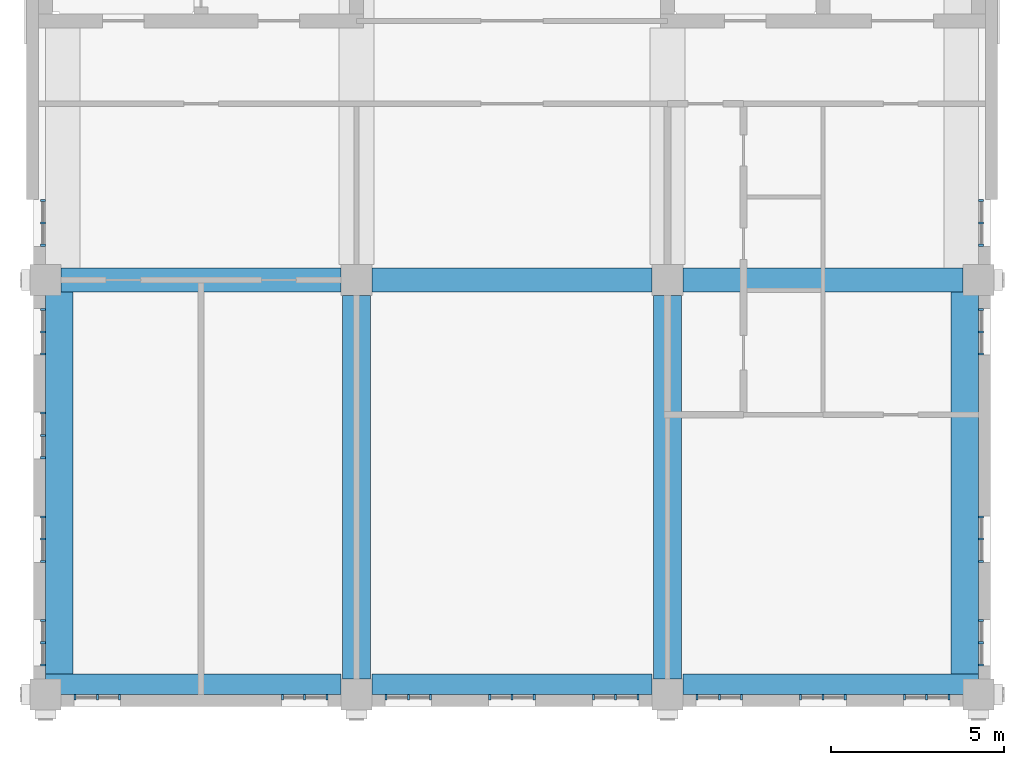
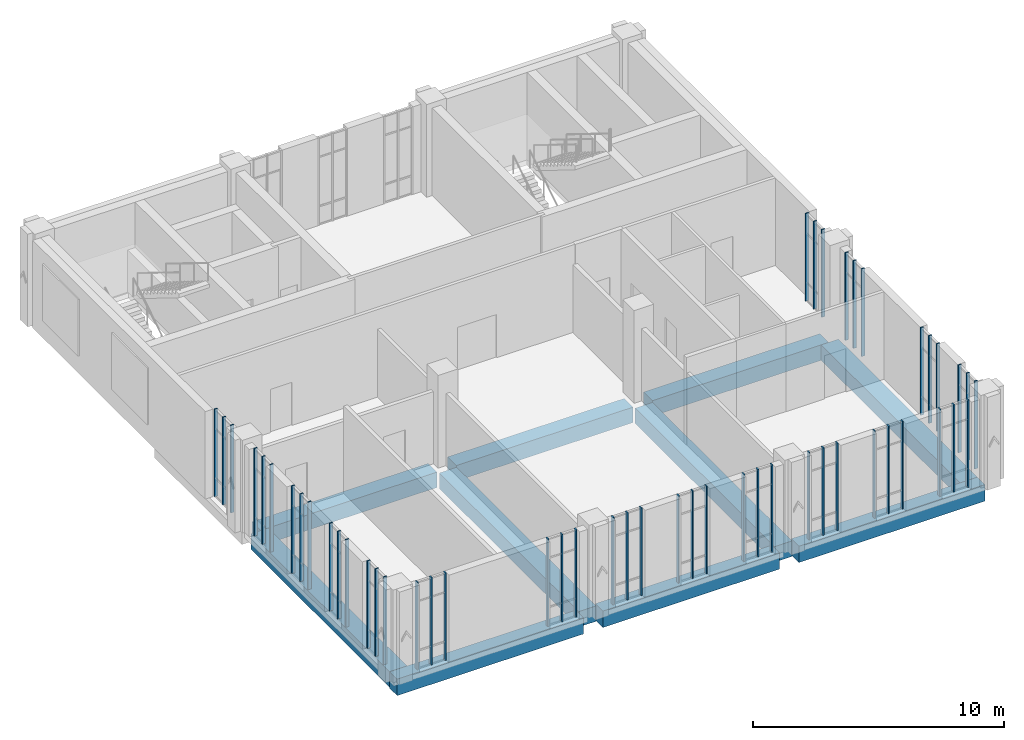
# One storey, part 2 of 13: 51 members, 10 beams, 17 elements without a shape of their own.
"""IFC4 building model written with IfcOpenShell, lengths in metres."""

import ifcopenshell
import ifcopenshell.guid

model = None  # the IFC model being written
_history = None  # IfcOwnerHistory: only IFC2X3 demands one
_inside = {}  # id of a spatial element -> (the spatial element, [elements in it])
_under = {}  # id of a project, library or spatial element -> (it, [spatial elements below it])
_declared = {}  # id of a project -> (the project, [libraries it declares])
_typed = {}  # id of a type object -> (the type object, [elements of that type])
_made_of = {}  # id of a material, layer set ... -> (it, [elements and type objects made of it])


def new_model(schema):
    """Start an empty IFC model of exactly this schema.

    Asked for "IFC4X3", IfcOpenShell would pick the latest addendum, in which some entities
    have other attributes; the version numbers below select the first issue.
    IFC2X3 requires an IfcOwnerHistory on every rooted entity: one is made here for all.
    """
    global model, _history
    if schema == "IFC4X3":
        model = ifcopenshell.file(schema_version=(4, 3, 0, 0))
    else:
        model = ifcopenshell.file(schema=schema)
    _inside.clear()
    _under.clear()
    _declared.clear()
    _typed.clear()
    _made_of.clear()
    _history = None
    if model.schema == "IFC2X3":
        org = make("IfcOrganization", Name="unknown")
        user = make(
            "IfcPersonAndOrganization",
            ThePerson=make("IfcPerson", FamilyName="unknown"),
            TheOrganization=org,
        )
        app = make(
            "IfcApplication",
            ApplicationDeveloper=org,
            Version="unknown",
            ApplicationFullName="unknown",
            ApplicationIdentifier="unknown",
        )
        _history = make(
            "IfcOwnerHistory",
            OwningUser=user,
            OwningApplication=app,
            ChangeAction="ADDED",
            CreationDate=0,
        )
    return model


def make(cls, **values):
    """One entity of the class cls with the attributes given. An attribute that is None is left unset."""
    return model.create_entity(
        cls, **{name: value for name, value in values.items() if value is not None}
    )


def rooted(cls, **values):
    """An entity with a GlobalId (a new one), such as an element, a storey or a relation."""
    return make(cls, GlobalId=ifcopenshell.guid.new(), OwnerHistory=_history, **values)


def si_unit(unit_type, name, prefix=None):
    """IfcSIUnit, for example si_unit("LENGTHUNIT", "METRE", prefix="MILLI")."""
    return make("IfcSIUnit", UnitType=unit_type, Prefix=prefix, Name=name)


def assignment(units):
    """IfcUnitAssignment: the units of a project."""
    return None if units is None else make("IfcUnitAssignment", Units=units)


def point(xyz):
    """IfcCartesianPoint."""
    return None if xyz is None else make("IfcCartesianPoint", Coordinates=xyz)


def direction(xyz):
    """IfcDirection."""
    return None if xyz is None else make("IfcDirection", DirectionRatios=xyz)


def frame(location, z_axis=None, x_axis=None):
    """IfcAxis2Placement3D, a coordinate frame: its origin and axes. An axis left out is left unset."""
    return make(
        "IfcAxis2Placement3D",
        Location=point(location),
        Axis=direction(z_axis),
        RefDirection=direction(x_axis),
    )


def frame_2d(location, x_axis=None):
    """IfcAxis2Placement2D, a coordinate frame in the plane: its origin and x axis."""
    return make(
        "IfcAxis2Placement2D", Location=point(location), RefDirection=direction(x_axis)
    )


def origin():
    """The frame at (0, 0, 0) with its axes left unset."""
    return frame((0.0, 0.0, 0.0))


def origin_2d():
    """The frame at (0, 0) in the plane with its x axis left unset."""
    return frame_2d((0.0, 0.0))


def place(relative_to, where):
    """IfcLocalPlacement: puts the frame where relative to a parent placement (None: the world)."""
    return make(
        "IfcLocalPlacement", PlacementRelTo=relative_to, RelativePlacement=where
    )


def context(
    kind, dimensions, precision=None, world=None, true_north=None, identifier=None
):
    """IfcGeometricRepresentationContext, for example the 3D "Model" context."""
    return make(
        "IfcGeometricRepresentationContext",
        ContextIdentifier=identifier,
        ContextType=kind,
        CoordinateSpaceDimension=dimensions,
        Precision=precision,
        WorldCoordinateSystem=world,
        TrueNorth=true_north,
    )


def subcontext(parent, identifier, kind, view, scale=None):
    """IfcGeometricRepresentationSubContext, for example "Body" below "Model"."""
    return make(
        "IfcGeometricRepresentationSubContext",
        ContextIdentifier=identifier,
        ContextType=kind,
        ParentContext=parent,
        TargetScale=scale,
        TargetView=view,
    )


def project(units=None, contexts=None):
    """IfcProject with its units and contexts."""
    return rooted(
        "IfcProject",
        Name="project",
        RepresentationContexts=contexts,
        UnitsInContext=assignment(units),
    )


def spatial(cls, under=None, at=None, **own):
    """A site, building, storey or space (cls), placed at a placement, below another one or the project."""
    s = rooted(cls, ObjectPlacement=at, **own)
    if under is not None:
        _under.setdefault(under.id(), (under, []))[1].append(s)
    return s


def profile(cls, at=None, kind="AREA", **sizes):
    """A parametric profile (cls). Its sizes go by their IFC names, for example OverallWidth=200.0."""
    return make(cls, ProfileType=kind, Position=at, **sizes)


def rectangle(**sizes):
    """IfcRectangleProfileDef."""
    return profile("IfcRectangleProfileDef", **sizes)


def extrude(swept, where, along, depth):
    """IfcExtrudedAreaSolid: the profile swept, set in the frame where, extruded along a direction by depth."""
    return make(
        "IfcExtrudedAreaSolid",
        SweptArea=swept,
        Position=where,
        ExtrudedDirection=direction(along),
        Depth=depth,
    )


def shape(context_of_items, identifier, shape_type, items):
    """IfcShapeRepresentation: the items that make up one representation, for example the "Body"."""
    return make(
        "IfcShapeRepresentation",
        ContextOfItems=context_of_items,
        RepresentationIdentifier=identifier,
        RepresentationType=shape_type,
        Items=items,
    )


def material(Name=None, Category=None):
    """IfcMaterial."""
    return make("IfcMaterial", Name=Name, Category=Category)


def layer(
    of_material, thickness, ventilated=None, Name=None, Category=None, Priority=None
):
    """IfcMaterialLayer: one layer of a wall or slab, of a material (None: an air gap)."""
    return make(
        "IfcMaterialLayer",
        Material=of_material,
        LayerThickness=thickness,
        IsVentilated=ventilated,
        Name=Name,
        Category=Category,
        Priority=Priority,
    )


def layer_set(layers, Name=None):
    """IfcMaterialLayerSet."""
    return make("IfcMaterialLayerSet", MaterialLayers=layers, LayerSetName=Name)


def material_profile(
    of_material, cross_section, Name=None, Category=None, Priority=None
):
    """IfcMaterialProfile: a cross section and its material."""
    return make(
        "IfcMaterialProfile",
        Name=Name,
        Material=of_material,
        Profile=cross_section,
        Priority=Priority,
        Category=Category,
    )


def profile_set(profiles, Name=None, composite=None):
    """IfcMaterialProfileSet."""
    return make(
        "IfcMaterialProfileSet",
        Name=Name,
        MaterialProfiles=profiles,
        CompositeProfile=composite,
    )


def made_of(thing, what):
    """Note that an element or type object is made of a material, layer set ...; save() writes the relation."""
    if what is not None:
        _made_of.setdefault(what.id(), (what, []))[1].append(thing)
    return thing


def type_object(cls, material=None, **own):
    """A type object (cls), such as IfcWallType, which elements share."""
    return made_of(rooted(cls, **own), material)


def element(
    cls,
    number,
    at=None,
    inside=None,
    cuts=None,
    type_object=None,
    material=None,
    context=None,
    identifier="Body",
    shape_type=None,
    held_by="IfcProductDefinitionShape",
    body=None,
    shapes=None,
    **own,
):
    """One element of the class cls, such as IfcWall. Its Tag is "e" and its number.

    at: its placement. inside: the storey or other place that contains it. cuts: it is an
    opening in that element (IfcRelVoidsElement). A single representation is given by context,
    identifier, shape_type and body (its items); several are given by shapes. held_by: the class
    of the entity that holds the representations. save() writes the other relations.
    """
    e = rooted(cls, Tag="e%d" % number, ObjectPlacement=at, **own)
    if body is not None:
        shapes = [shape(context, identifier, shape_type, body)]
    if shapes is not None:
        e.Representation = make(held_by, Representations=shapes)
    if inside is not None:
        _inside.setdefault(inside.id(), (inside, []))[1].append(e)
    if cuts is not None:
        rooted(
            "IfcRelVoidsElement", RelatingBuildingElement=cuts, RelatedOpeningElement=e
        )
    if type_object is not None:
        _typed.setdefault(type_object.id(), (type_object, []))[1].append(e)
    return made_of(e, material)


def aggregate(whole, parts):
    """IfcRelAggregates: a whole, such as a stair, and the parts it consists of."""
    return rooted("IfcRelAggregates", RelatingObject=whole, RelatedObjects=parts)


def save(model, path):
    """Write the relations noted so far, then the file.

    IfcRelAggregates (storeys below a building ...), IfcRelContainedInSpatialStructure (elements
    in a storey), IfcRelDefinesByType, IfcRelAssociatesMaterial and IfcRelDeclares: one each for
    every whole, place, type object, material and project.
    """
    for whole, parts in _under.values():
        aggregate(whole, parts)
    for where, things in _inside.values():
        rooted(
            "IfcRelContainedInSpatialStructure",
            RelatedElements=things,
            RelatingStructure=where,
        )
    for kind, things in _typed.values():
        rooted("IfcRelDefinesByType", RelatedObjects=things, RelatingType=kind)
    for what, things in _made_of.values():
        rooted("IfcRelAssociatesMaterial", RelatedObjects=things, RelatingMaterial=what)
    for by, libraries in _declared.values():
        rooted("IfcRelDeclares", RelatingContext=by, RelatedDefinitions=libraries)
    model.write(path)


model = new_model("IFC4")

# Units and contexts
model_context = context("Model", 3, precision=1e-05, world=origin(), true_north=direction((0.0, 1.0)))
body_context = subcontext(model_context, "Body", "Model", "MODEL_VIEW")
ifc_project = project(units=[si_unit("LENGTHUNIT", "METRE"), si_unit("AREAUNIT", "SQUARE_METRE"), si_unit("VOLUMEUNIT", "CUBIC_METRE"), si_unit("PLANEANGLEUNIT", "RADIAN"), si_unit("MASSUNIT", "GRAM", prefix="KILO")], contexts=[model_context])

# Site, building, storey
site_placement = place(None, origin())
site = spatial("IfcSite", under=ifc_project, at=site_placement, CompositionType="ELEMENT")
building_placement = place(site_placement, origin())
building = spatial("IfcBuilding", under=site, at=building_placement, Name="Aurelan Courthouse", CompositionType="ELEMENT")
storey_placement = place(building_placement, frame((0.0, 0.0, 48.89990234375)))
storey = spatial("IfcBuildingStorey", under=building, at=storey_placement, Name="L09", CompositionType="ELEMENT", Elevation=48.89990234375)

# Curtain wall, members
ifc_material_1 = material(Name="Bronze-finished aluminium and glass", Category="aluminium")
ifc_layer = layer(ifc_material_1, 0.14990234375)
ifc_layer_set = layer_set([ifc_layer], Name="Bronze-finished aluminium and glass")
curtain_wall_type = type_object("IfcCurtainWallType", Name="Curtain wall 1350 x 4250", PredefinedType="NOTDEFINED", material=ifc_layer_set)
curtain_wall_1_placement = place(storey_placement, origin())
curtain_wall_1 = element("IfcCurtainWall", 1, at=curtain_wall_1_placement, inside=storey, type_object=curtain_wall_type, Name="Curtain wall CW-V5-L09-S01", PredefinedType="NOTDEFINED")
ifc_material_2 = material(Name="Bronze-finished aluminium", Category="aluminium")
ifc_material_profile_1 = material_profile(ifc_material_2, rectangle(XDim=0.14990234375, YDim=0.06005859375, at=origin_2d()), Name="Bronze mullion 60 x 150")
ifc_profile_set_1 = profile_set([ifc_material_profile_1], Name="Bronze-finished aluminium")
member_type = type_object("IfcMemberType", Name="Curtain wall mullion 60 x 150", PredefinedType="MULLION", material=ifc_profile_set_1)
member_1_placement = place(storey_placement, frame((0.85498046875, -0.074951171875, 0.0), z_axis=(0.0, 0.0, 1.0), x_axis=(0.0, 1.0, 0.0)))
member_1 = element("IfcMember", 2, at=member_1_placement, type_object=member_type, Name="CW-V5-L09-S01 mullion 1", PredefinedType="MULLION", context=body_context, shape_type="SweptSolid", body=[
    extrude(rectangle(XDim=0.14990234375, YDim=0.06005859375, at=origin_2d()), origin(), (0.0, 0.0, 1.0), 4.25),
])
member_2_placement = place(storey_placement, frame((1.5, -0.074951171875, 0.0), z_axis=(0.0, 0.0, 1.0), x_axis=(0.0, 1.0, 0.0)))
member_2 = element("IfcMember", 3, at=member_2_placement, type_object=member_type, Name="CW-V5-L09-S01 mullion 2", PredefinedType="MULLION", context=body_context, shape_type="SweptSolid", body=[
    extrude(rectangle(XDim=0.14990234375, YDim=0.06005859375, at=origin_2d()), origin(), (0.0, 0.0, 1.0), 4.25),
])
member_3_placement = place(storey_placement, frame((2.14501953125, -0.074951171875, 0.0), z_axis=(0.0, 0.0, 1.0), x_axis=(0.0, 1.0, 0.0)))
member_3 = element("IfcMember", 4, at=member_3_placement, type_object=member_type, Name="CW-V5-L09-S01 mullion 3", PredefinedType="MULLION", context=body_context, shape_type="SweptSolid", body=[
    extrude(rectangle(XDim=0.14990234375, YDim=0.06005859375, at=origin_2d()), origin(), (0.0, 0.0, 1.0), 4.25),
])
aggregate(curtain_wall_1, [member_1, member_2, member_3])

curtain_wall_2_placement = place(storey_placement, origin())
curtain_wall_2 = element("IfcCurtainWall", 5, at=curtain_wall_2_placement, inside=storey, type_object=curtain_wall_type, Name="Curtain wall CW-V5-L09-S02", PredefinedType="NOTDEFINED")
member_4_placement = place(storey_placement, frame((6.85498046875, -0.074951171875, 0.0), z_axis=(0.0, 0.0, 1.0), x_axis=(0.0, 1.0, 0.0)))
member_4 = element("IfcMember", 6, at=member_4_placement, type_object=member_type, Name="CW-V5-L09-S02 mullion 1", PredefinedType="MULLION", context=body_context, shape_type="SweptSolid", body=[
    extrude(rectangle(XDim=0.14990234375, YDim=0.06005859375, at=origin_2d()), origin(), (0.0, 0.0, 1.0), 4.25),
])
member_5_placement = place(storey_placement, frame((7.5, -0.074951171875, 0.0), z_axis=(0.0, 0.0, 1.0), x_axis=(0.0, 1.0, 0.0)))
member_5 = element("IfcMember", 7, at=member_5_placement, type_object=member_type, Name="CW-V5-L09-S02 mullion 2", PredefinedType="MULLION", context=body_context, shape_type="SweptSolid", body=[
    extrude(rectangle(XDim=0.14990234375, YDim=0.06005859375, at=origin_2d()), origin(), (0.0, 0.0, 1.0), 4.25),
])
member_6_placement = place(storey_placement, frame((8.14501953125, -0.074951171875, 0.0), z_axis=(0.0, 0.0, 1.0), x_axis=(0.0, 1.0, 0.0)))
member_6 = element("IfcMember", 8, at=member_6_placement, type_object=member_type, Name="CW-V5-L09-S02 mullion 3", PredefinedType="MULLION", context=body_context, shape_type="SweptSolid", body=[
    extrude(rectangle(XDim=0.14990234375, YDim=0.06005859375, at=origin_2d()), origin(), (0.0, 0.0, 1.0), 4.25),
])
aggregate(curtain_wall_2, [member_4, member_5, member_6])

curtain_wall_3_placement = place(storey_placement, origin())
curtain_wall_3 = element("IfcCurtainWall", 9, at=curtain_wall_3_placement, inside=storey, type_object=curtain_wall_type, Name="Curtain wall CW-V5-L09-S03", PredefinedType="NOTDEFINED")
member_7_placement = place(storey_placement, frame((9.85498046875, -0.074951171875, 0.0), z_axis=(0.0, 0.0, 1.0), x_axis=(0.0, 1.0, 0.0)))
member_7 = element("IfcMember", 10, at=member_7_placement, type_object=member_type, Name="CW-V5-L09-S03 mullion 1", PredefinedType="MULLION", context=body_context, shape_type="SweptSolid", body=[
    extrude(rectangle(XDim=0.14990234375, YDim=0.06005859375, at=origin_2d()), origin(), (0.0, 0.0, 1.0), 4.25),
])
member_8_placement = place(storey_placement, frame((10.5, -0.074951171875, 0.0), z_axis=(0.0, 0.0, 1.0), x_axis=(0.0, 1.0, 0.0)))
member_8 = element("IfcMember", 11, at=member_8_placement, type_object=member_type, Name="CW-V5-L09-S03 mullion 2", PredefinedType="MULLION", context=body_context, shape_type="SweptSolid", body=[
    extrude(rectangle(XDim=0.14990234375, YDim=0.06005859375, at=origin_2d()), origin(), (0.0, 0.0, 1.0), 4.25),
])
member_9_placement = place(storey_placement, frame((11.14501953125, -0.074951171875, 0.0), z_axis=(0.0, 0.0, 1.0), x_axis=(0.0, 1.0, 0.0)))
member_9 = element("IfcMember", 12, at=member_9_placement, type_object=member_type, Name="CW-V5-L09-S03 mullion 3", PredefinedType="MULLION", context=body_context, shape_type="SweptSolid", body=[
    extrude(rectangle(XDim=0.14990234375, YDim=0.06005859375, at=origin_2d()), origin(), (0.0, 0.0, 1.0), 4.25),
])
aggregate(curtain_wall_3, [member_7, member_8, member_9])

curtain_wall_4_placement = place(storey_placement, origin())
curtain_wall_4 = element("IfcCurtainWall", 13, at=curtain_wall_4_placement, inside=storey, type_object=curtain_wall_type, Name="Curtain wall CW-V5-L09-S04", PredefinedType="NOTDEFINED")
member_10_placement = place(storey_placement, frame((12.85498046875, -0.074951171875, 0.0), z_axis=(0.0, 0.0, 1.0), x_axis=(0.0, 1.0, 0.0)))
member_10 = element("IfcMember", 14, at=member_10_placement, type_object=member_type, Name="CW-V5-L09-S04 mullion 1", PredefinedType="MULLION", context=body_context, shape_type="SweptSolid", body=[
    extrude(rectangle(XDim=0.14990234375, YDim=0.06005859375, at=origin_2d()), origin(), (0.0, 0.0, 1.0), 4.25),
])
member_11_placement = place(storey_placement, frame((13.5, -0.074951171875, 0.0), z_axis=(0.0, 0.0, 1.0), x_axis=(0.0, 1.0, 0.0)))
member_11 = element("IfcMember", 15, at=member_11_placement, type_object=member_type, Name="CW-V5-L09-S04 mullion 2", PredefinedType="MULLION", context=body_context, shape_type="SweptSolid", body=[
    extrude(rectangle(XDim=0.14990234375, YDim=0.06005859375, at=origin_2d()), origin(), (0.0, 0.0, 1.0), 4.25),
])
member_12_placement = place(storey_placement, frame((14.14501953125, -0.074951171875, 0.0), z_axis=(0.0, 0.0, 1.0), x_axis=(0.0, 1.0, 0.0)))
member_12 = element("IfcMember", 16, at=member_12_placement, type_object=member_type, Name="CW-V5-L09-S04 mullion 3", PredefinedType="MULLION", context=body_context, shape_type="SweptSolid", body=[
    extrude(rectangle(XDim=0.14990234375, YDim=0.06005859375, at=origin_2d()), origin(), (0.0, 0.0, 1.0), 4.25),
])
aggregate(curtain_wall_4, [member_10, member_11, member_12])

curtain_wall_5_placement = place(storey_placement, origin())
curtain_wall_5 = element("IfcCurtainWall", 17, at=curtain_wall_5_placement, inside=storey, type_object=curtain_wall_type, Name="Curtain wall CW-V5-L09-S05", PredefinedType="NOTDEFINED")
member_13_placement = place(storey_placement, frame((15.85498046875, -0.074951171875, 0.0), z_axis=(0.0, 0.0, 1.0), x_axis=(0.0, 1.0, 0.0)))
member_13 = element("IfcMember", 18, at=member_13_placement, type_object=member_type, Name="CW-V5-L09-S05 mullion 1", PredefinedType="MULLION", context=body_context, shape_type="SweptSolid", body=[
    extrude(rectangle(XDim=0.14990234375, YDim=0.06005859375, at=origin_2d()), origin(), (0.0, 0.0, 1.0), 4.25),
])
member_14_placement = place(storey_placement, frame((16.5, -0.074951171875, 0.0), z_axis=(0.0, 0.0, 1.0), x_axis=(0.0, 1.0, 0.0)))
member_14 = element("IfcMember", 19, at=member_14_placement, type_object=member_type, Name="CW-V5-L09-S05 mullion 2", PredefinedType="MULLION", context=body_context, shape_type="SweptSolid", body=[
    extrude(rectangle(XDim=0.14990234375, YDim=0.06005859375, at=origin_2d()), origin(), (0.0, 0.0, 1.0), 4.25),
])
member_15_placement = place(storey_placement, frame((17.14501953125, -0.074951171875, 0.0), z_axis=(0.0, 0.0, 1.0), x_axis=(0.0, 1.0, 0.0)))
member_15 = element("IfcMember", 20, at=member_15_placement, type_object=member_type, Name="CW-V5-L09-S05 mullion 3", PredefinedType="MULLION", context=body_context, shape_type="SweptSolid", body=[
    extrude(rectangle(XDim=0.14990234375, YDim=0.06005859375, at=origin_2d()), origin(), (0.0, 0.0, 1.0), 4.25),
])
aggregate(curtain_wall_5, [member_13, member_14, member_15])

curtain_wall_6_placement = place(storey_placement, origin())
curtain_wall_6 = element("IfcCurtainWall", 21, at=curtain_wall_6_placement, inside=storey, type_object=curtain_wall_type, Name="Curtain wall CW-V5-L09-S06", PredefinedType="NOTDEFINED")
member_16_placement = place(storey_placement, frame((18.85498046875, -0.074951171875, 0.0), z_axis=(0.0, 0.0, 1.0), x_axis=(0.0, 1.0, 0.0)))
member_16 = element("IfcMember", 22, at=member_16_placement, type_object=member_type, Name="CW-V5-L09-S06 mullion 1", PredefinedType="MULLION", context=body_context, shape_type="SweptSolid", body=[
    extrude(rectangle(XDim=0.14990234375, YDim=0.06005859375, at=origin_2d()), origin(), (0.0, 0.0, 1.0), 4.25),
])
member_17_placement = place(storey_placement, frame((19.5, -0.074951171875, 0.0), z_axis=(0.0, 0.0, 1.0), x_axis=(0.0, 1.0, 0.0)))
member_17 = element("IfcMember", 23, at=member_17_placement, type_object=member_type, Name="CW-V5-L09-S06 mullion 2", PredefinedType="MULLION", context=body_context, shape_type="SweptSolid", body=[
    extrude(rectangle(XDim=0.14990234375, YDim=0.06005859375, at=origin_2d()), origin(), (0.0, 0.0, 1.0), 4.25),
])
member_18_placement = place(storey_placement, frame((20.14501953125, -0.074951171875, 0.0), z_axis=(0.0, 0.0, 1.0), x_axis=(0.0, 1.0, 0.0)))
member_18 = element("IfcMember", 24, at=member_18_placement, type_object=member_type, Name="CW-V5-L09-S06 mullion 3", PredefinedType="MULLION", context=body_context, shape_type="SweptSolid", body=[
    extrude(rectangle(XDim=0.14990234375, YDim=0.06005859375, at=origin_2d()), origin(), (0.0, 0.0, 1.0), 4.25),
])
aggregate(curtain_wall_6, [member_16, member_17, member_18])

curtain_wall_7_placement = place(storey_placement, origin())
curtain_wall_7 = element("IfcCurtainWall", 25, at=curtain_wall_7_placement, inside=storey, type_object=curtain_wall_type, Name="Curtain wall CW-V5-L09-S07", PredefinedType="NOTDEFINED")
member_19_placement = place(storey_placement, frame((21.85498046875, -0.074951171875, 0.0), z_axis=(0.0, 0.0, 1.0), x_axis=(0.0, 1.0, 0.0)))
member_19 = element("IfcMember", 26, at=member_19_placement, type_object=member_type, Name="CW-V5-L09-S07 mullion 1", PredefinedType="MULLION", context=body_context, shape_type="SweptSolid", body=[
    extrude(rectangle(XDim=0.14990234375, YDim=0.06005859375, at=origin_2d()), origin(), (0.0, 0.0, 1.0), 4.25),
])
member_20_placement = place(storey_placement, frame((22.5, -0.074951171875, 0.0), z_axis=(0.0, 0.0, 1.0), x_axis=(0.0, 1.0, 0.0)))
member_20 = element("IfcMember", 27, at=member_20_placement, type_object=member_type, Name="CW-V5-L09-S07 mullion 2", PredefinedType="MULLION", context=body_context, shape_type="SweptSolid", body=[
    extrude(rectangle(XDim=0.14990234375, YDim=0.06005859375, at=origin_2d()), origin(), (0.0, 0.0, 1.0), 4.25),
])
member_21_placement = place(storey_placement, frame((23.14501953125, -0.074951171875, 0.0), z_axis=(0.0, 0.0, 1.0), x_axis=(0.0, 1.0, 0.0)))
member_21 = element("IfcMember", 28, at=member_21_placement, type_object=member_type, Name="CW-V5-L09-S07 mullion 3", PredefinedType="MULLION", context=body_context, shape_type="SweptSolid", body=[
    extrude(rectangle(XDim=0.14990234375, YDim=0.06005859375, at=origin_2d()), origin(), (0.0, 0.0, 1.0), 4.25),
])
aggregate(curtain_wall_7, [member_19, member_20, member_21])

curtain_wall_8_placement = place(storey_placement, origin())
curtain_wall_8 = element("IfcCurtainWall", 29, at=curtain_wall_8_placement, inside=storey, type_object=curtain_wall_type, Name="Curtain wall CW-V5-L09-S08", PredefinedType="NOTDEFINED")
member_22_placement = place(storey_placement, frame((24.85498046875, -0.074951171875, 0.0), z_axis=(0.0, 0.0, 1.0), x_axis=(0.0, 1.0, 0.0)))
member_22 = element("IfcMember", 30, at=member_22_placement, type_object=member_type, Name="CW-V5-L09-S08 mullion 1", PredefinedType="MULLION", context=body_context, shape_type="SweptSolid", body=[
    extrude(rectangle(XDim=0.14990234375, YDim=0.06005859375, at=origin_2d()), origin(), (0.0, 0.0, 1.0), 4.25),
])
member_23_placement = place(storey_placement, frame((25.5, -0.074951171875, 0.0), z_axis=(0.0, 0.0, 1.0), x_axis=(0.0, 1.0, 0.0)))
member_23 = element("IfcMember", 31, at=member_23_placement, type_object=member_type, Name="CW-V5-L09-S08 mullion 2", PredefinedType="MULLION", context=body_context, shape_type="SweptSolid", body=[
    extrude(rectangle(XDim=0.14990234375, YDim=0.06005859375, at=origin_2d()), origin(), (0.0, 0.0, 1.0), 4.25),
])
member_24_placement = place(storey_placement, frame((26.14501953125, -0.074951171875, 0.0), z_axis=(0.0, 0.0, 1.0), x_axis=(0.0, 1.0, 0.0)))
member_24 = element("IfcMember", 32, at=member_24_placement, type_object=member_type, Name="CW-V5-L09-S08 mullion 3", PredefinedType="MULLION", context=body_context, shape_type="SweptSolid", body=[
    extrude(rectangle(XDim=0.14990234375, YDim=0.06005859375, at=origin_2d()), origin(), (0.0, 0.0, 1.0), 4.25),
])
aggregate(curtain_wall_8, [member_22, member_23, member_24])

curtain_wall_9_placement = place(storey_placement, origin())
curtain_wall_9 = element("IfcCurtainWall", 33, at=curtain_wall_9_placement, inside=storey, type_object=curtain_wall_type, Name="Curtain wall CW-V5-L09-E01", PredefinedType="NOTDEFINED")
member_25_placement = place(storey_placement, frame((27.074951171875, 0.85498046875, 0.0), z_axis=(0.0, 0.0, 1.0), x_axis=(-1.0, 0.0, 0.0)))
member_25 = element("IfcMember", 34, at=member_25_placement, type_object=member_type, Name="CW-V5-L09-E01 mullion 1", PredefinedType="MULLION", context=body_context, shape_type="SweptSolid", body=[
    extrude(rectangle(XDim=0.14990234375, YDim=0.06005859375, at=origin_2d()), origin(), (0.0, 0.0, 1.0), 4.25),
])
member_26_placement = place(storey_placement, frame((27.074951171875, 1.5, 0.0), z_axis=(0.0, 0.0, 1.0), x_axis=(-1.0, 0.0, 0.0)))
member_26 = element("IfcMember", 35, at=member_26_placement, type_object=member_type, Name="CW-V5-L09-E01 mullion 2", PredefinedType="MULLION", context=body_context, shape_type="SweptSolid", body=[
    extrude(rectangle(XDim=0.14990234375, YDim=0.06005859375, at=origin_2d()), origin(), (0.0, 0.0, 1.0), 4.25),
])
member_27_placement = place(storey_placement, frame((27.074951171875, 2.14501953125, 0.0), z_axis=(0.0, 0.0, 1.0), x_axis=(-1.0, 0.0, 0.0)))
member_27 = element("IfcMember", 36, at=member_27_placement, type_object=member_type, Name="CW-V5-L09-E01 mullion 3", PredefinedType="MULLION", context=body_context, shape_type="SweptSolid", body=[
    extrude(rectangle(XDim=0.14990234375, YDim=0.06005859375, at=origin_2d()), origin(), (0.0, 0.0, 1.0), 4.25),
])
aggregate(curtain_wall_9, [member_25, member_26, member_27])

curtain_wall_10_placement = place(storey_placement, origin())
curtain_wall_10 = element("IfcCurtainWall", 37, at=curtain_wall_10_placement, inside=storey, type_object=curtain_wall_type, Name="Curtain wall CW-V5-L09-E02", PredefinedType="NOTDEFINED")
member_28_placement = place(storey_placement, frame((27.074951171875, 3.85498046875, 0.0), z_axis=(0.0, 0.0, 1.0), x_axis=(-1.0, 0.0, 0.0)))
member_28 = element("IfcMember", 38, at=member_28_placement, type_object=member_type, Name="CW-V5-L09-E02 mullion 1", PredefinedType="MULLION", context=body_context, shape_type="SweptSolid", body=[
    extrude(rectangle(XDim=0.14990234375, YDim=0.06005859375, at=origin_2d()), origin(), (0.0, 0.0, 1.0), 4.25),
])
member_29_placement = place(storey_placement, frame((27.074951171875, 4.5, 0.0), z_axis=(0.0, 0.0, 1.0), x_axis=(-1.0, 0.0, 0.0)))
member_29 = element("IfcMember", 39, at=member_29_placement, type_object=member_type, Name="CW-V5-L09-E02 mullion 2", PredefinedType="MULLION", context=body_context, shape_type="SweptSolid", body=[
    extrude(rectangle(XDim=0.14990234375, YDim=0.06005859375, at=origin_2d()), origin(), (0.0, 0.0, 1.0), 4.25),
])
member_30_placement = place(storey_placement, frame((27.074951171875, 5.14501953125, 0.0), z_axis=(0.0, 0.0, 1.0), x_axis=(-1.0, 0.0, 0.0)))
member_30 = element("IfcMember", 40, at=member_30_placement, type_object=member_type, Name="CW-V5-L09-E02 mullion 3", PredefinedType="MULLION", context=body_context, shape_type="SweptSolid", body=[
    extrude(rectangle(XDim=0.14990234375, YDim=0.06005859375, at=origin_2d()), origin(), (0.0, 0.0, 1.0), 4.25),
])
aggregate(curtain_wall_10, [member_28, member_29, member_30])

curtain_wall_11_placement = place(storey_placement, origin())
curtain_wall_11 = element("IfcCurtainWall", 41, at=curtain_wall_11_placement, inside=storey, type_object=curtain_wall_type, Name="Curtain wall CW-V5-L09-E03", PredefinedType="NOTDEFINED")
member_31_placement = place(storey_placement, frame((27.074951171875, 9.85498046875, 0.0), z_axis=(0.0, 0.0, 1.0), x_axis=(-1.0, 0.0, 0.0)))
member_31 = element("IfcMember", 42, at=member_31_placement, type_object=member_type, Name="CW-V5-L09-E03 mullion 1", PredefinedType="MULLION", context=body_context, shape_type="SweptSolid", body=[
    extrude(rectangle(XDim=0.14990234375, YDim=0.06005859375, at=origin_2d()), origin(), (0.0, 0.0, 1.0), 4.25),
])
member_32_placement = place(storey_placement, frame((27.074951171875, 10.5, 0.0), z_axis=(0.0, 0.0, 1.0), x_axis=(-1.0, 0.0, 0.0)))
member_32 = element("IfcMember", 43, at=member_32_placement, type_object=member_type, Name="CW-V5-L09-E03 mullion 2", PredefinedType="MULLION", context=body_context, shape_type="SweptSolid", body=[
    extrude(rectangle(XDim=0.14990234375, YDim=0.06005859375, at=origin_2d()), origin(), (0.0, 0.0, 1.0), 4.25),
])
member_33_placement = place(storey_placement, frame((27.074951171875, 11.14501953125, 0.0), z_axis=(0.0, 0.0, 1.0), x_axis=(-1.0, 0.0, 0.0)))
member_33 = element("IfcMember", 44, at=member_33_placement, type_object=member_type, Name="CW-V5-L09-E03 mullion 3", PredefinedType="MULLION", context=body_context, shape_type="SweptSolid", body=[
    extrude(rectangle(XDim=0.14990234375, YDim=0.06005859375, at=origin_2d()), origin(), (0.0, 0.0, 1.0), 4.25),
])
aggregate(curtain_wall_11, [member_31, member_32, member_33])

curtain_wall_12_placement = place(storey_placement, origin())
curtain_wall_12 = element("IfcCurtainWall", 45, at=curtain_wall_12_placement, inside=storey, type_object=curtain_wall_type, Name="Curtain wall CW-V5-L09-E04", PredefinedType="NOTDEFINED")
member_34_placement = place(storey_placement, frame((27.074951171875, 13.0048828125, 0.0), z_axis=(0.0, 0.0, 1.0), x_axis=(-1.0, 0.0, 0.0)))
member_34 = element("IfcMember", 46, at=member_34_placement, type_object=member_type, Name="CW-V5-L09-E04 mullion 1", PredefinedType="MULLION", context=body_context, shape_type="SweptSolid", body=[
    extrude(rectangle(XDim=0.14990234375, YDim=0.06005859375, at=origin_2d()), origin(), (0.0, 0.0, 1.0), 4.25),
])
member_35_placement = place(storey_placement, frame((27.074951171875, 13.64990234375, 0.0), z_axis=(0.0, 0.0, 1.0), x_axis=(-1.0, 0.0, 0.0)))
member_35 = element("IfcMember", 47, at=member_35_placement, type_object=member_type, Name="CW-V5-L09-E04 mullion 2", PredefinedType="MULLION", context=body_context, shape_type="SweptSolid", body=[
    extrude(rectangle(XDim=0.14990234375, YDim=0.06005859375, at=origin_2d()), origin(), (0.0, 0.0, 1.0), 4.25),
])
member_36_placement = place(storey_placement, frame((27.074951171875, 14.294921875, 0.0), z_axis=(0.0, 0.0, 1.0), x_axis=(-1.0, 0.0, 0.0)))
member_36 = element("IfcMember", 48, at=member_36_placement, type_object=member_type, Name="CW-V5-L09-E04 mullion 3", PredefinedType="MULLION", context=body_context, shape_type="SweptSolid", body=[
    extrude(rectangle(XDim=0.14990234375, YDim=0.06005859375, at=origin_2d()), origin(), (0.0, 0.0, 1.0), 4.25),
])
aggregate(curtain_wall_12, [member_34, member_35, member_36])

curtain_wall_13_placement = place(storey_placement, origin())
curtain_wall_13 = element("IfcCurtainWall", 49, at=curtain_wall_13_placement, inside=storey, type_object=curtain_wall_type, Name="Curtain wall CW-V5-L09-W01", PredefinedType="NOTDEFINED")
member_37_placement = place(storey_placement, frame((-0.074951171875, 0.85498046875, 0.0), z_axis=(0.0, 0.0, 1.0), x_axis=(-1.0, 0.0, 0.0)))
member_37 = element("IfcMember", 50, at=member_37_placement, type_object=member_type, Name="CW-V5-L09-W01 mullion 1", PredefinedType="MULLION", context=body_context, shape_type="SweptSolid", body=[
    extrude(rectangle(XDim=0.14990234375, YDim=0.06005859375, at=origin_2d()), origin(), (0.0, 0.0, 1.0), 4.25),
])
member_38_placement = place(storey_placement, frame((-0.074951171875, 1.5, 0.0), z_axis=(0.0, 0.0, 1.0), x_axis=(-1.0, 0.0, 0.0)))
member_38 = element("IfcMember", 51, at=member_38_placement, type_object=member_type, Name="CW-V5-L09-W01 mullion 2", PredefinedType="MULLION", context=body_context, shape_type="SweptSolid", body=[
    extrude(rectangle(XDim=0.14990234375, YDim=0.06005859375, at=origin_2d()), origin(), (0.0, 0.0, 1.0), 4.25),
])
member_39_placement = place(storey_placement, frame((-0.074951171875, 2.14501953125, 0.0), z_axis=(0.0, 0.0, 1.0), x_axis=(-1.0, 0.0, 0.0)))
member_39 = element("IfcMember", 52, at=member_39_placement, type_object=member_type, Name="CW-V5-L09-W01 mullion 3", PredefinedType="MULLION", context=body_context, shape_type="SweptSolid", body=[
    extrude(rectangle(XDim=0.14990234375, YDim=0.06005859375, at=origin_2d()), origin(), (0.0, 0.0, 1.0), 4.25),
])
aggregate(curtain_wall_13, [member_37, member_38, member_39])

curtain_wall_14_placement = place(storey_placement, origin())
curtain_wall_14 = element("IfcCurtainWall", 53, at=curtain_wall_14_placement, inside=storey, type_object=curtain_wall_type, Name="Curtain wall CW-V5-L09-W02", PredefinedType="NOTDEFINED")
member_40_placement = place(storey_placement, frame((-0.074951171875, 3.85498046875, 0.0), z_axis=(0.0, 0.0, 1.0), x_axis=(-1.0, 0.0, 0.0)))
member_40 = element("IfcMember", 54, at=member_40_placement, type_object=member_type, Name="CW-V5-L09-W02 mullion 1", PredefinedType="MULLION", context=body_context, shape_type="SweptSolid", body=[
    extrude(rectangle(XDim=0.14990234375, YDim=0.06005859375, at=origin_2d()), origin(), (0.0, 0.0, 1.0), 4.25),
])
member_41_placement = place(storey_placement, frame((-0.074951171875, 4.5, 0.0), z_axis=(0.0, 0.0, 1.0), x_axis=(-1.0, 0.0, 0.0)))
member_41 = element("IfcMember", 55, at=member_41_placement, type_object=member_type, Name="CW-V5-L09-W02 mullion 2", PredefinedType="MULLION", context=body_context, shape_type="SweptSolid", body=[
    extrude(rectangle(XDim=0.14990234375, YDim=0.06005859375, at=origin_2d()), origin(), (0.0, 0.0, 1.0), 4.25),
])
member_42_placement = place(storey_placement, frame((-0.074951171875, 5.14501953125, 0.0), z_axis=(0.0, 0.0, 1.0), x_axis=(-1.0, 0.0, 0.0)))
member_42 = element("IfcMember", 56, at=member_42_placement, type_object=member_type, Name="CW-V5-L09-W02 mullion 3", PredefinedType="MULLION", context=body_context, shape_type="SweptSolid", body=[
    extrude(rectangle(XDim=0.14990234375, YDim=0.06005859375, at=origin_2d()), origin(), (0.0, 0.0, 1.0), 4.25),
])
aggregate(curtain_wall_14, [member_40, member_41, member_42])

curtain_wall_15_placement = place(storey_placement, origin())
curtain_wall_15 = element("IfcCurtainWall", 57, at=curtain_wall_15_placement, inside=storey, type_object=curtain_wall_type, Name="Curtain wall CW-V5-L09-W03", PredefinedType="NOTDEFINED")
member_43_placement = place(storey_placement, frame((-0.074951171875, 6.85498046875, 0.0), z_axis=(0.0, 0.0, 1.0), x_axis=(-1.0, 0.0, 0.0)))
member_43 = element("IfcMember", 58, at=member_43_placement, type_object=member_type, Name="CW-V5-L09-W03 mullion 1", PredefinedType="MULLION", context=body_context, shape_type="SweptSolid", body=[
    extrude(rectangle(XDim=0.14990234375, YDim=0.06005859375, at=origin_2d()), origin(), (0.0, 0.0, 1.0), 4.25),
])
member_44_placement = place(storey_placement, frame((-0.074951171875, 7.5, 0.0), z_axis=(0.0, 0.0, 1.0), x_axis=(-1.0, 0.0, 0.0)))
member_44 = element("IfcMember", 59, at=member_44_placement, type_object=member_type, Name="CW-V5-L09-W03 mullion 2", PredefinedType="MULLION", context=body_context, shape_type="SweptSolid", body=[
    extrude(rectangle(XDim=0.14990234375, YDim=0.06005859375, at=origin_2d()), origin(), (0.0, 0.0, 1.0), 4.25),
])
member_45_placement = place(storey_placement, frame((-0.074951171875, 8.14501953125, 0.0), z_axis=(0.0, 0.0, 1.0), x_axis=(-1.0, 0.0, 0.0)))
member_45 = element("IfcMember", 60, at=member_45_placement, type_object=member_type, Name="CW-V5-L09-W03 mullion 3", PredefinedType="MULLION", context=body_context, shape_type="SweptSolid", body=[
    extrude(rectangle(XDim=0.14990234375, YDim=0.06005859375, at=origin_2d()), origin(), (0.0, 0.0, 1.0), 4.25),
])
aggregate(curtain_wall_15, [member_43, member_44, member_45])

curtain_wall_16_placement = place(storey_placement, origin())
curtain_wall_16 = element("IfcCurtainWall", 61, at=curtain_wall_16_placement, inside=storey, type_object=curtain_wall_type, Name="Curtain wall CW-V5-L09-W04", PredefinedType="NOTDEFINED")
member_46_placement = place(storey_placement, frame((-0.074951171875, 9.85498046875, 0.0), z_axis=(0.0, 0.0, 1.0), x_axis=(-1.0, 0.0, 0.0)))
member_46 = element("IfcMember", 62, at=member_46_placement, type_object=member_type, Name="CW-V5-L09-W04 mullion 1", PredefinedType="MULLION", context=body_context, shape_type="SweptSolid", body=[
    extrude(rectangle(XDim=0.14990234375, YDim=0.06005859375, at=origin_2d()), origin(), (0.0, 0.0, 1.0), 4.25),
])
member_47_placement = place(storey_placement, frame((-0.074951171875, 10.5, 0.0), z_axis=(0.0, 0.0, 1.0), x_axis=(-1.0, 0.0, 0.0)))
member_47 = element("IfcMember", 63, at=member_47_placement, type_object=member_type, Name="CW-V5-L09-W04 mullion 2", PredefinedType="MULLION", context=body_context, shape_type="SweptSolid", body=[
    extrude(rectangle(XDim=0.14990234375, YDim=0.06005859375, at=origin_2d()), origin(), (0.0, 0.0, 1.0), 4.25),
])
member_48_placement = place(storey_placement, frame((-0.074951171875, 11.14501953125, 0.0), z_axis=(0.0, 0.0, 1.0), x_axis=(-1.0, 0.0, 0.0)))
member_48 = element("IfcMember", 64, at=member_48_placement, type_object=member_type, Name="CW-V5-L09-W04 mullion 3", PredefinedType="MULLION", context=body_context, shape_type="SweptSolid", body=[
    extrude(rectangle(XDim=0.14990234375, YDim=0.06005859375, at=origin_2d()), origin(), (0.0, 0.0, 1.0), 4.25),
])
aggregate(curtain_wall_16, [member_46, member_47, member_48])

curtain_wall_17_placement = place(storey_placement, origin())
curtain_wall_17 = element("IfcCurtainWall", 65, at=curtain_wall_17_placement, inside=storey, type_object=curtain_wall_type, Name="Curtain wall CW-V5-L09-W05", PredefinedType="NOTDEFINED")
member_49_placement = place(storey_placement, frame((-0.074951171875, 13.0048828125, 0.0), z_axis=(0.0, 0.0, 1.0), x_axis=(-1.0, 0.0, 0.0)))
member_49 = element("IfcMember", 66, at=member_49_placement, type_object=member_type, Name="CW-V5-L09-W05 mullion 1", PredefinedType="MULLION", context=body_context, shape_type="SweptSolid", body=[
    extrude(rectangle(XDim=0.14990234375, YDim=0.06005859375, at=origin_2d()), origin(), (0.0, 0.0, 1.0), 4.25),
])
member_50_placement = place(storey_placement, frame((-0.074951171875, 13.64990234375, 0.0), z_axis=(0.0, 0.0, 1.0), x_axis=(-1.0, 0.0, 0.0)))
member_50 = element("IfcMember", 67, at=member_50_placement, type_object=member_type, Name="CW-V5-L09-W05 mullion 2", PredefinedType="MULLION", context=body_context, shape_type="SweptSolid", body=[
    extrude(rectangle(XDim=0.14990234375, YDim=0.06005859375, at=origin_2d()), origin(), (0.0, 0.0, 1.0), 4.25),
])
member_51_placement = place(storey_placement, frame((-0.074951171875, 14.294921875, 0.0), z_axis=(0.0, 0.0, 1.0), x_axis=(-1.0, 0.0, 0.0)))
member_51 = element("IfcMember", 68, at=member_51_placement, type_object=member_type, Name="CW-V5-L09-W05 mullion 3", PredefinedType="MULLION", context=body_context, shape_type="SweptSolid", body=[
    extrude(rectangle(XDim=0.14990234375, YDim=0.06005859375, at=origin_2d()), origin(), (0.0, 0.0, 1.0), 4.25),
])
aggregate(curtain_wall_17, [member_49, member_50, member_51])

# Beams
ifc_material_3 = material(Name="Concrete C50", Category="concrete")
ifc_material_profile_2 = material_profile(ifc_material_3, rectangle(XDim=0.699951171875, YDim=0.75, at=origin_2d()), Name="RC 700 x 750")
ifc_profile_set_2 = profile_set([ifc_material_profile_2], Name="Concrete C50")
beam_type_1 = type_object("IfcBeamType", Name="PT beam 700 x 750", PredefinedType="BEAM", material=ifc_profile_set_2)
for number, where, z_axis, x_axis, name in (
    (69, (0.449951171875, 12.0, -0.625), (1.0, 0.0, 0.0), (0.0, 1.0, 0.0), "Beam EB-B-1-2"),
    (70, (9.449951171875, 12.0, -0.625), (1.0, 0.0, 0.0), (0.0, 1.0, 0.0), "Beam EB-B-2-3"),
    (71, (18.449951171875, 12.0, -0.625), (1.0, 0.0, 0.0), (0.0, 1.0, 0.0), "Beam EB-B-3-4"),
):
    element("IfcBeam", number, at=place(storey_placement, frame(where, z_axis=z_axis, x_axis=x_axis)), inside=storey, type_object=beam_type_1, Name=name, PredefinedType="BEAM", context=body_context, shape_type="SweptSolid", body=[
        extrude(rectangle(XDim=0.699951171875, YDim=0.75, at=origin_2d()), origin(), (0.0, 0.0, 1.0), 8.10009765625),
    ])
ifc_material_profile_3 = material_profile(ifc_material_3, rectangle(XDim=0.800048828125, YDim=0.75, at=origin_2d()), Name="RC 800 x 750")
ifc_profile_set_3 = profile_set([ifc_material_profile_3], Name="Concrete C50")
beam_type_2 = type_object("IfcBeamType", Name="PT girder 800 x 750", PredefinedType="BEAM", material=ifc_profile_set_3)
beam_1_placement = place(storey_placement, frame((0.39990234375, 0.60009765625, -0.625), z_axis=(0.0, 1.0, 0.0), x_axis=(-1.0, 0.0, 0.0)))
element("IfcBeam", 72, at=beam_1_placement, inside=storey, type_object=beam_type_2, Name="Girder GB-1AB-E", PredefinedType="BEAM", context=body_context, shape_type="SweptSolid", body=[
    extrude(rectangle(XDim=0.800048828125, YDim=0.75, at=origin_2d()), origin(), (0.0, 0.0, 1.0), 11.0498046875),
])
for number, where, z_axis, x_axis, name in (
    (73, (9.0, 0.449951171875, -0.625), (0.0, 1.0, 0.0), (-1.0, 0.0, 0.0), "Girder GB-2AB"),
    (74, (18.0, 0.449951171875, -0.625), (0.0, 1.0, 0.0), (-1.0, 0.0, 0.0), "Girder GB-3AB"),
):
    element("IfcBeam", number, at=place(storey_placement, frame(where, z_axis=z_axis, x_axis=x_axis)), inside=storey, type_object=beam_type_2, Name=name, PredefinedType="BEAM", context=body_context, shape_type="SweptSolid", body=[
        extrude(rectangle(XDim=0.800048828125, YDim=0.75, at=origin_2d()), origin(), (0.0, 0.0, 1.0), 11.10009765625),
    ])
beam_2_placement = place(storey_placement, frame((26.60009765625, 0.60009765625, -0.625), z_axis=(0.0, 1.0, 0.0), x_axis=(-1.0, 0.0, 0.0)))
element("IfcBeam", 75, at=beam_2_placement, inside=storey, type_object=beam_type_2, Name="Girder GB-4AB-E", PredefinedType="BEAM", context=body_context, shape_type="SweptSolid", body=[
    extrude(rectangle(XDim=0.800048828125, YDim=0.75, at=origin_2d()), origin(), (0.0, 0.0, 1.0), 11.0498046875),
])
ifc_material_profile_4 = material_profile(ifc_material_3, rectangle(XDim=0.60009765625, YDim=0.800048828125, at=origin_2d()), Name="RC 600 x 800")
ifc_profile_set_4 = profile_set([ifc_material_profile_4], Name="Concrete C50")
beam_type_3 = type_object("IfcBeamType", Name="RC spandrel beam 600 x 800", PredefinedType="SPANDREL", material=ifc_profile_set_4)
beam_3_placement = place(storey_placement, frame((0.0, 0.300048828125, -0.64990234375), z_axis=(1.0, 0.0, 0.0), x_axis=(0.0, 1.0, 0.0)))
element("IfcBeam", 76, at=beam_3_placement, inside=storey, type_object=beam_type_3, Name="Spandrel beam SB-A-1-2", PredefinedType="SPANDREL", context=body_context, shape_type="SweptSolid", body=[
    extrude(rectangle(XDim=0.60009765625, YDim=0.800048828125, at=origin_2d()), origin(), (0.0, 0.0, 1.0), 8.550048828125),
])
beam_4_placement = place(storey_placement, frame((9.449951171875, 0.300048828125, -0.64990234375), z_axis=(1.0, 0.0, 0.0), x_axis=(0.0, 1.0, 0.0)))
element("IfcBeam", 77, at=beam_4_placement, inside=storey, type_object=beam_type_3, Name="Spandrel beam SB-A-2-3", PredefinedType="SPANDREL", context=body_context, shape_type="SweptSolid", body=[
    extrude(rectangle(XDim=0.60009765625, YDim=0.800048828125, at=origin_2d()), origin(), (0.0, 0.0, 1.0), 8.10009765625),
])
beam_5_placement = place(storey_placement, frame((18.449951171875, 0.300048828125, -0.64990234375), z_axis=(1.0, 0.0, 0.0), x_axis=(0.0, 1.0, 0.0)))
element("IfcBeam", 78, at=beam_5_placement, inside=storey, type_object=beam_type_3, Name="Spandrel beam SB-A-3-4", PredefinedType="SPANDREL", context=body_context, shape_type="SweptSolid", body=[
    extrude(rectangle(XDim=0.60009765625, YDim=0.800048828125, at=origin_2d()), origin(), (0.0, 0.0, 1.0), 8.550048828125),
])

save(model, "model.ifc")
